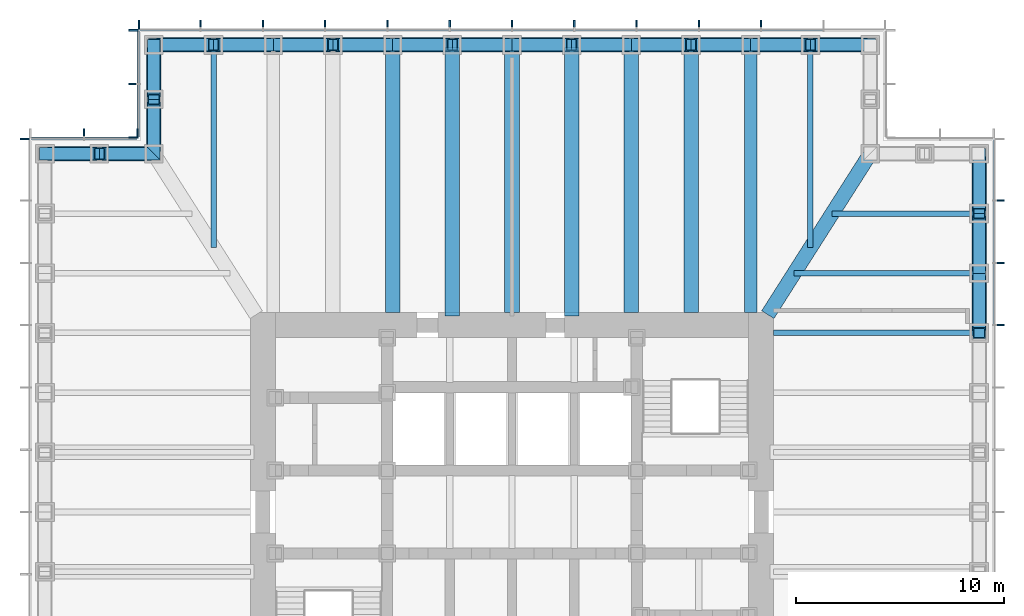
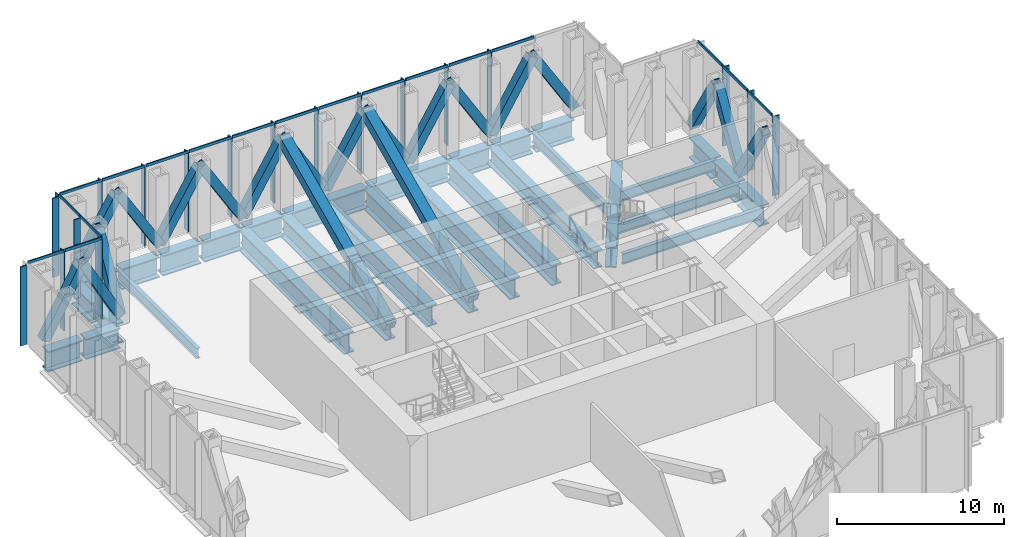
# One storey, part 4 of 13: 59 members, 32 beams, 5 elements without a shape of their own.
"""IFC4 building model written with IfcOpenShell, lengths in metres."""

from ifc_helpers import new_model, si_unit, direction, frame, origin, origin_2d, place, context, subcontext, project, spatial, rectangle, hollow_rectangle, i_section, extrude, material, material_profile, profile_set, type_object, element, aggregate, save


model = new_model("IFC4")

# Units and contexts
model_context = context("Model", 3, precision=1e-05, world=origin(), true_north=direction((0.0, 1.0)))
body_context = subcontext(model_context, "Body", "Model", "MODEL_VIEW")
ifc_project = project(units=[si_unit("LENGTHUNIT", "METRE"), si_unit("AREAUNIT", "SQUARE_METRE"), si_unit("VOLUMEUNIT", "CUBIC_METRE"), si_unit("PLANEANGLEUNIT", "RADIAN"), si_unit("MASSUNIT", "GRAM", prefix="KILO")], contexts=[model_context])

# Site, building, storey
site_placement = place(None, origin())
site = spatial("IfcSite", under=ifc_project, at=site_placement, CompositionType="ELEMENT")
building_placement = place(site_placement, origin())
building = spatial("IfcBuilding", under=site, at=building_placement, Name="Daluyong Arena Tower", CompositionType="ELEMENT")
storey_placement = place(building_placement, frame((0.0, 0.0, 175.300048828125)))
storey = spatial("IfcBuildingStorey", under=building, at=storey_placement, Name="L39", CompositionType="ELEMENT", Elevation=175.300048828125)

# Members
ifc_material_1 = material(Name="Steel ASTM A572 Grade 50", Category="steel")
ifc_material_profile_1 = material_profile(ifc_material_1, hollow_rectangle(XDim=0.60009765625, YDim=0.60009765625, WallThickness=0.05, at=origin_2d()))
ifc_profile_set_1 = profile_set([ifc_material_profile_1], Name="Steel ASTM A572 Grade 50")
member_type_1 = type_object("IfcMemberType", Name="Belt truss diagonal BX600X50", PredefinedType="BRACE", material=ifc_profile_set_1)
for number, where, z_axis, x_axis, name in (
    (1, (78.5, 91.5, 0.5), (0.0, -0.517802679406, 0.855500079018), (1.0, 0.0, 0.0), "belt truss diagonal BT1"),
    (2, (78.5, 91.5, 0.5), (0.0, 0.517802679406, 0.855500079018), (-1.0, 0.0, 0.0), "belt truss diagonal BT1"),
    (3, (78.5, 97.25, 0.5), (0.0, -0.517802679406, 0.855500079018), (1.0, 0.0, 0.0), "belt truss diagonal BT1"),
    (4, (73.25, 102.5, 0.5), (-0.517802679406, 0.0, 0.855500079018), (0.0, -1.0, 0.0), "belt truss diagonal BT1"),
    (5, (67.5, 102.5, 0.5), (0.517802679406, 0.0, 0.855500079018), (0.0, 1.0, 0.0), "belt truss diagonal BT1"),
    (6, (67.5, 102.5, 0.5), (-0.517802679406, 0.0, 0.855500079018), (0.0, -1.0, 0.0), "belt truss diagonal BT1"),
    (7, (61.75, 102.5, 0.5), (0.517802679406, 0.0, 0.855500079018), (0.0, 1.0, 0.0), "belt truss diagonal BT1"),
    (8, (61.75, 102.5, 0.5), (-0.517802679406, 0.0, 0.855500079018), (0.0, -1.0, 0.0), "belt truss diagonal BT1"),
    (9, (56.0, 102.5, 0.5), (0.517802679406, 0.0, 0.855500079018), (0.0, 1.0, 0.0), "belt truss diagonal BT1"),
    (10, (56.0, 102.5, 0.5), (-0.517802679406, 0.0, 0.855500079018), (0.0, -1.0, 0.0), "belt truss diagonal BT1"),
    (11, (50.25, 102.5, 0.5), (0.517802679406, 0.0, 0.855500079018), (0.0, 1.0, 0.0), "belt truss diagonal BT1"),
    (12, (50.25, 102.5, 0.5), (-0.517802679406, 0.0, 0.855500079018), (0.0, -1.0, 0.0), "belt truss diagonal BT1"),
    (13, (44.5, 102.5, 0.5), (0.517802679406, 0.0, 0.855500079018), (0.0, 1.0, 0.0), "belt truss diagonal BT1"),
    (14, (44.5, 102.5, 0.5), (-0.517802679406, 0.0, 0.855500079018), (0.0, -1.0, 0.0), "belt truss diagonal BT1"),
    (15, (38.75, 102.5, 0.5), (0.517802679406, 0.0, 0.855500079018), (0.0, 1.0, 0.0), "belt truss diagonal BT1"),
):
    element("IfcMember", number, at=place(storey_placement, frame(where, z_axis=z_axis, x_axis=x_axis)), inside=storey, type_object=member_type_1, Name=name, PredefinedType="BRACE", context=body_context, shape_type="SweptSolid", body=[
        extrude(hollow_rectangle(XDim=0.60009765625, YDim=0.60009765625, WallThickness=0.05, at=origin_2d()), origin(), (0.0, 0.0, 1.0), 5.55224609375),
    ])
for number, where, z_axis, x_axis, name in (
    (16, (38.75, 102.5, 0.5), (0.0, -0.48368611169, 0.875241535439), (1.0, 0.0, 0.0), "belt truss diagonal BT1"),
    (17, (38.75, 97.25, 0.5), (0.0, 0.48368611169, 0.875241535439), (-1.0, 0.0, 0.0), "belt truss diagonal BT1"),
    (18, (38.75, 97.25, 0.5), (-0.48368611169, 0.0, 0.875241535439), (0.0, -1.0, 0.0), "belt truss diagonal BT1"),
    (19, (33.5, 97.25, 0.5), (0.48368611169, 0.0, 0.875241535439), (0.0, 1.0, 0.0), "belt truss diagonal BT1"),
):
    element("IfcMember", number, at=place(storey_placement, frame(where, z_axis=z_axis, x_axis=x_axis)), inside=storey, type_object=member_type_1, Name=name, PredefinedType="BRACE", context=body_context, shape_type="SweptSolid", body=[
        extrude(hollow_rectangle(XDim=0.60009765625, YDim=0.60009765625, WallThickness=0.05, at=origin_2d()), origin(), (0.0, 0.0, 1.0), 5.427001953125),
    ])

# Curtain wall, members
ifc_material_2 = material(Name="Bronze anodised aluminium and glass", Category="aluminium")
curtain_wall_type = type_object("IfcCurtainWallType", Name="Curtain wall CW6", PredefinedType="USERDEFINED", material=ifc_material_2)
curtain_wall_1_placement = place(storey_placement, origin())
curtain_wall_1 = element("IfcCurtainWall", 20, at=curtain_wall_1_placement, inside=storey, type_object=curtain_wall_type, Name="curtain wall L39 E", ObjectType="UNITISED CURTAIN WALL", PredefinedType="USERDEFINED")
ifc_material_3 = material(Name="Bronze anodised aluminium fin", Category="aluminium")
ifc_material_profile_2 = material_profile(ifc_material_3, rectangle(XDim=0.449951171875, YDim=0.080078125, at=origin_2d()))
ifc_profile_set_2 = profile_set([ifc_material_profile_2], Name="Bronze anodised aluminium fin")
member_type_2 = type_object("IfcMemberType", Name="CW6 bronze fin 450x80", PredefinedType="MULLION", material=ifc_profile_set_2)
member_1_placement = place(storey_placement, frame((79.47509765625, 89.0, 0.0), z_axis=(0.0, 0.0, 1.0), x_axis=(-1.0, 0.0, 0.0)))
member_1 = element("IfcMember", 21, at=member_1_placement, type_object=member_type_2, Name="curtain wall L39 E fin 10", PredefinedType="MULLION", context=body_context, shape_type="SweptSolid", body=[
    extrude(rectangle(XDim=0.449951171875, YDim=0.080078125, at=origin_2d()), origin(), (0.0, 0.0, 1.0), 5.800048828125),
])
member_2_placement = place(storey_placement, frame((79.47509765625, 92.0, 0.0), z_axis=(0.0, 0.0, 1.0), x_axis=(-1.0, 0.0, 0.0)))
member_2 = element("IfcMember", 22, at=member_2_placement, type_object=member_type_2, Name="curtain wall L39 E fin 11", PredefinedType="MULLION", context=body_context, shape_type="SweptSolid", body=[
    extrude(rectangle(XDim=0.449951171875, YDim=0.080078125, at=origin_2d()), origin(), (0.0, 0.0, 1.0), 5.800048828125),
])
member_3_placement = place(storey_placement, frame((79.47509765625, 95.0, 0.0), z_axis=(0.0, 0.0, 1.0), x_axis=(-1.0, 0.0, 0.0)))
member_3 = element("IfcMember", 23, at=member_3_placement, type_object=member_type_2, Name="curtain wall L39 E fin 12", PredefinedType="MULLION", context=body_context, shape_type="SweptSolid", body=[
    extrude(rectangle(XDim=0.449951171875, YDim=0.080078125, at=origin_2d()), origin(), (0.0, 0.0, 1.0), 5.800048828125),
])

curtain_wall_2_placement = place(storey_placement, origin())
curtain_wall_2 = element("IfcCurtainWall", 24, at=curtain_wall_2_placement, inside=storey, type_object=curtain_wall_type, Name="curtain wall L39 N", ObjectType="UNITISED CURTAIN WALL", PredefinedType="USERDEFINED")
member_4_placement = place(storey_placement, frame((68.0, 103.47509765625, 0.0), z_axis=(0.0, 0.0, 1.0), x_axis=(0.0, -1.0, 0.0)))
member_4 = element("IfcMember", 25, at=member_4_placement, type_object=member_type_2, Name="curtain wall L39 N fin 3", PredefinedType="MULLION", context=body_context, shape_type="SweptSolid", body=[
    extrude(rectangle(XDim=0.449951171875, YDim=0.080078125, at=origin_2d()), origin(), (0.0, 0.0, 1.0), 5.800048828125),
])
member_5_placement = place(storey_placement, frame((65.0, 103.47509765625, 0.0), z_axis=(0.0, 0.0, 1.0), x_axis=(0.0, -1.0, 0.0)))
member_5 = element("IfcMember", 26, at=member_5_placement, type_object=member_type_2, Name="curtain wall L39 N fin 4", PredefinedType="MULLION", context=body_context, shape_type="SweptSolid", body=[
    extrude(rectangle(XDim=0.449951171875, YDim=0.080078125, at=origin_2d()), origin(), (0.0, 0.0, 1.0), 5.800048828125),
])
member_6_placement = place(storey_placement, frame((62.0, 103.47509765625, 0.0), z_axis=(0.0, 0.0, 1.0), x_axis=(0.0, -1.0, 0.0)))
member_6 = element("IfcMember", 27, at=member_6_placement, type_object=member_type_2, Name="curtain wall L39 N fin 5", PredefinedType="MULLION", context=body_context, shape_type="SweptSolid", body=[
    extrude(rectangle(XDim=0.449951171875, YDim=0.080078125, at=origin_2d()), origin(), (0.0, 0.0, 1.0), 5.800048828125),
])
member_7_placement = place(storey_placement, frame((59.0, 103.47509765625, 0.0), z_axis=(0.0, 0.0, 1.0), x_axis=(0.0, -1.0, 0.0)))
member_7 = element("IfcMember", 28, at=member_7_placement, type_object=member_type_2, Name="curtain wall L39 N fin 6", PredefinedType="MULLION", context=body_context, shape_type="SweptSolid", body=[
    extrude(rectangle(XDim=0.449951171875, YDim=0.080078125, at=origin_2d()), origin(), (0.0, 0.0, 1.0), 5.800048828125),
])
member_8_placement = place(storey_placement, frame((56.0, 103.47509765625, 0.0), z_axis=(0.0, 0.0, 1.0), x_axis=(0.0, -1.0, 0.0)))
member_8 = element("IfcMember", 29, at=member_8_placement, type_object=member_type_2, Name="curtain wall L39 N fin 7", PredefinedType="MULLION", context=body_context, shape_type="SweptSolid", body=[
    extrude(rectangle(XDim=0.449951171875, YDim=0.080078125, at=origin_2d()), origin(), (0.0, 0.0, 1.0), 5.800048828125),
])
member_9_placement = place(storey_placement, frame((53.0, 103.47509765625, 0.0), z_axis=(0.0, 0.0, 1.0), x_axis=(0.0, -1.0, 0.0)))
member_9 = element("IfcMember", 30, at=member_9_placement, type_object=member_type_2, Name="curtain wall L39 N fin 8", PredefinedType="MULLION", context=body_context, shape_type="SweptSolid", body=[
    extrude(rectangle(XDim=0.449951171875, YDim=0.080078125, at=origin_2d()), origin(), (0.0, 0.0, 1.0), 5.800048828125),
])
member_10_placement = place(storey_placement, frame((50.0, 103.47509765625, 0.0), z_axis=(0.0, 0.0, 1.0), x_axis=(0.0, -1.0, 0.0)))
member_10 = element("IfcMember", 31, at=member_10_placement, type_object=member_type_2, Name="curtain wall L39 N fin 9", PredefinedType="MULLION", context=body_context, shape_type="SweptSolid", body=[
    extrude(rectangle(XDim=0.449951171875, YDim=0.080078125, at=origin_2d()), origin(), (0.0, 0.0, 1.0), 5.800048828125),
])
member_11_placement = place(storey_placement, frame((47.0, 103.47509765625, 0.0), z_axis=(0.0, 0.0, 1.0), x_axis=(0.0, -1.0, 0.0)))
member_11 = element("IfcMember", 32, at=member_11_placement, type_object=member_type_2, Name="curtain wall L39 N fin 10", PredefinedType="MULLION", context=body_context, shape_type="SweptSolid", body=[
    extrude(rectangle(XDim=0.449951171875, YDim=0.080078125, at=origin_2d()), origin(), (0.0, 0.0, 1.0), 5.800048828125),
])
member_12_placement = place(storey_placement, frame((44.0, 103.47509765625, 0.0), z_axis=(0.0, 0.0, 1.0), x_axis=(0.0, -1.0, 0.0)))
member_12 = element("IfcMember", 33, at=member_12_placement, type_object=member_type_2, Name="curtain wall L39 N fin 11", PredefinedType="MULLION", context=body_context, shape_type="SweptSolid", body=[
    extrude(rectangle(XDim=0.449951171875, YDim=0.080078125, at=origin_2d()), origin(), (0.0, 0.0, 1.0), 5.800048828125),
])
member_13_placement = place(storey_placement, frame((41.0, 103.47509765625, 0.0), z_axis=(0.0, 0.0, 1.0), x_axis=(0.0, -1.0, 0.0)))
member_13 = element("IfcMember", 34, at=member_13_placement, type_object=member_type_2, Name="curtain wall L39 N fin 12", PredefinedType="MULLION", context=body_context, shape_type="SweptSolid", body=[
    extrude(rectangle(XDim=0.449951171875, YDim=0.080078125, at=origin_2d()), origin(), (0.0, 0.0, 1.0), 5.800048828125),
])
member_14_placement = place(storey_placement, frame((38.0400390625, 103.47509765625, 0.0), z_axis=(0.0, 0.0, 1.0), x_axis=(0.0, -1.0, 0.0)))
member_14 = element("IfcMember", 35, at=member_14_placement, type_object=member_type_2, Name="curtain wall L39 N fin 13", PredefinedType="MULLION", context=body_context, shape_type="SweptSolid", body=[
    extrude(rectangle(XDim=0.449951171875, YDim=0.080078125, at=origin_2d()), origin(), (0.0, 0.0, 1.0), 5.800048828125),
])

curtain_wall_3_placement = place(storey_placement, origin())
curtain_wall_3 = element("IfcCurtainWall", 36, at=curtain_wall_3_placement, inside=storey, type_object=curtain_wall_type, Name="curtain wall L39 NW-W", ObjectType="UNITISED CURTAIN WALL", PredefinedType="USERDEFINED")
member_15_placement = place(storey_placement, frame((37.77490234375, 103.2099609375, 0.0), z_axis=(0.0, 0.0, 1.0), x_axis=(1.0, 0.0, 0.0)))
member_15 = element("IfcMember", 37, at=member_15_placement, type_object=member_type_2, Name="curtain wall L39 NW-W fin 1", PredefinedType="MULLION", context=body_context, shape_type="SweptSolid", body=[
    extrude(rectangle(XDim=0.449951171875, YDim=0.080078125, at=origin_2d()), origin(), (0.0, 0.0, 1.0), 5.800048828125),
])
member_16_placement = place(storey_placement, frame((37.77490234375, 100.625, 0.0), z_axis=(0.0, 0.0, 1.0), x_axis=(1.0, 0.0, 0.0)))
member_16 = element("IfcMember", 38, at=member_16_placement, type_object=member_type_2, Name="curtain wall L39 NW-W fin 2", PredefinedType="MULLION", context=body_context, shape_type="SweptSolid", body=[
    extrude(rectangle(XDim=0.449951171875, YDim=0.080078125, at=origin_2d()), origin(), (0.0, 0.0, 1.0), 5.800048828125),
])
member_17_placement = place(storey_placement, frame((37.77490234375, 98.0400390625, 0.0), z_axis=(0.0, 0.0, 1.0), x_axis=(1.0, 0.0, 0.0)))
member_17 = element("IfcMember", 39, at=member_17_placement, type_object=member_type_2, Name="curtain wall L39 NW-W fin 3", PredefinedType="MULLION", context=body_context, shape_type="SweptSolid", body=[
    extrude(rectangle(XDim=0.449951171875, YDim=0.080078125, at=origin_2d()), origin(), (0.0, 0.0, 1.0), 5.800048828125),
])

curtain_wall_4_placement = place(storey_placement, origin())
curtain_wall_4 = element("IfcCurtainWall", 40, at=curtain_wall_4_placement, inside=storey, type_object=curtain_wall_type, Name="curtain wall L39 NW-N", ObjectType="UNITISED CURTAIN WALL", PredefinedType="USERDEFINED")
member_18_placement = place(storey_placement, frame((37.9599609375, 98.22509765625, 0.0), z_axis=(0.0, 0.0, 1.0), x_axis=(0.0, -1.0, 0.0)))
member_18 = element("IfcMember", 41, at=member_18_placement, type_object=member_type_2, Name="curtain wall L39 NW-N fin 1", PredefinedType="MULLION", context=body_context, shape_type="SweptSolid", body=[
    extrude(rectangle(XDim=0.449951171875, YDim=0.080078125, at=origin_2d()), origin(), (0.0, 0.0, 1.0), 5.800048828125),
])
member_19_placement = place(storey_placement, frame((35.375, 98.22509765625, 0.0), z_axis=(0.0, 0.0, 1.0), x_axis=(0.0, -1.0, 0.0)))
member_19 = element("IfcMember", 42, at=member_19_placement, type_object=member_type_2, Name="curtain wall L39 NW-N fin 2", PredefinedType="MULLION", context=body_context, shape_type="SweptSolid", body=[
    extrude(rectangle(XDim=0.449951171875, YDim=0.080078125, at=origin_2d()), origin(), (0.0, 0.0, 1.0), 5.800048828125),
])

# Curtain wall, member
curtain_wall_5_placement = place(storey_placement, origin())
curtain_wall_5 = element("IfcCurtainWall", 43, at=curtain_wall_5_placement, inside=storey, type_object=curtain_wall_type, Name="curtain wall L39 W", ObjectType="UNITISED CURTAIN WALL", PredefinedType="USERDEFINED")
member_20_placement = place(storey_placement, frame((32.52490234375, 97.9599609375, 0.0), z_axis=(0.0, 0.0, 1.0), x_axis=(1.0, 0.0, 0.0)))
member_20 = element("IfcMember", 44, at=member_20_placement, type_object=member_type_2, Name="curtain wall L39 W fin 1", PredefinedType="MULLION", context=body_context, shape_type="SweptSolid", body=[
    extrude(rectangle(XDim=0.449951171875, YDim=0.080078125, at=origin_2d()), origin(), (0.0, 0.0, 1.0), 5.800048828125),
])
aggregate(curtain_wall_5, [member_20])

# Member
ifc_material_4 = material(Name="Bronze anodised aluminium", Category="aluminium")
ifc_material_profile_3 = material_profile(ifc_material_4, rectangle(XDim=0.080078125, YDim=0.199951171875, at=origin_2d()))
ifc_profile_set_3 = profile_set([ifc_material_profile_3], Name="Bronze anodised aluminium")
member_type_3 = type_object("IfcMemberType", Name="CW6 stack transom 200x80", PredefinedType="USERDEFINED", material=ifc_profile_set_3)
member_21_placement = place(storey_placement, frame((79.25, 89.0400390625, 5.89990234375), z_axis=(0.0, 1.0, 0.0), x_axis=(-1.0, 0.0, 0.0)))
member_21 = element("IfcMember", 45, at=member_21_placement, type_object=member_type_3, Name="curtain wall L39 E transom 10", ObjectType="TRANSOM", PredefinedType="USERDEFINED", context=body_context, shape_type="SweptSolid", body=[
    extrude(rectangle(XDim=0.080078125, YDim=0.199951171875, at=origin_2d()), origin(), (0.0, 0.0, 1.0), 2.919921875),
])

member_22_placement = place(storey_placement, frame((79.25, 92.0400390625, 5.89990234375), z_axis=(0.0, 1.0, 0.0), x_axis=(-1.0, 0.0, 0.0)))
member_22 = element("IfcMember", 46, at=member_22_placement, type_object=member_type_3, Name="curtain wall L39 E transom 11", ObjectType="TRANSOM", PredefinedType="USERDEFINED", context=body_context, shape_type="SweptSolid", body=[
    extrude(rectangle(XDim=0.080078125, YDim=0.199951171875, at=origin_2d()), origin(), (0.0, 0.0, 1.0), 2.919921875),
])

member_23_placement = place(storey_placement, frame((79.25, 95.0400390625, 5.89990234375), z_axis=(0.0, 1.0, 0.0), x_axis=(-1.0, 0.0, 0.0)))
member_23 = element("IfcMember", 47, at=member_23_placement, type_object=member_type_3, Name="curtain wall L39 E transom 12", ObjectType="TRANSOM", PredefinedType="USERDEFINED", context=body_context, shape_type="SweptSolid", body=[
    extrude(rectangle(XDim=0.080078125, YDim=0.199951171875, at=origin_2d()), origin(), (0.0, 0.0, 1.0), 2.8798828125),
])

aggregate(curtain_wall_1, [member_1, member_2, member_3, member_21, member_22, member_23])

member_24_placement = place(storey_placement, frame((70.9599609375, 103.25, 5.89990234375), z_axis=(-1.0, 0.0, 0.0), x_axis=(0.0, -1.0, 0.0)))
member_24 = element("IfcMember", 48, at=member_24_placement, type_object=member_type_3, Name="curtain wall L39 N transom 2", ObjectType="TRANSOM", PredefinedType="USERDEFINED", context=body_context, shape_type="SweptSolid", body=[
    extrude(rectangle(XDim=0.080078125, YDim=0.199951171875, at=origin_2d()), origin(), (0.0, 0.0, 1.0), 2.919921875),
])

member_25_placement = place(storey_placement, frame((67.9599609375, 103.25, 5.89990234375), z_axis=(-1.0, 0.0, 0.0), x_axis=(0.0, -1.0, 0.0)))
member_25 = element("IfcMember", 49, at=member_25_placement, type_object=member_type_3, Name="curtain wall L39 N transom 3", ObjectType="TRANSOM", PredefinedType="USERDEFINED", context=body_context, shape_type="SweptSolid", body=[
    extrude(rectangle(XDim=0.080078125, YDim=0.199951171875, at=origin_2d()), origin(), (0.0, 0.0, 1.0), 2.919921875),
])

member_26_placement = place(storey_placement, frame((64.9599609375, 103.25, 5.89990234375), z_axis=(-1.0, 0.0, 0.0), x_axis=(0.0, -1.0, 0.0)))
member_26 = element("IfcMember", 50, at=member_26_placement, type_object=member_type_3, Name="curtain wall L39 N transom 4", ObjectType="TRANSOM", PredefinedType="USERDEFINED", context=body_context, shape_type="SweptSolid", body=[
    extrude(rectangle(XDim=0.080078125, YDim=0.199951171875, at=origin_2d()), origin(), (0.0, 0.0, 1.0), 2.919921875),
])

member_27_placement = place(storey_placement, frame((61.9599609375, 103.25, 5.89990234375), z_axis=(-1.0, 0.0, 0.0), x_axis=(0.0, -1.0, 0.0)))
member_27 = element("IfcMember", 51, at=member_27_placement, type_object=member_type_3, Name="curtain wall L39 N transom 5", ObjectType="TRANSOM", PredefinedType="USERDEFINED", context=body_context, shape_type="SweptSolid", body=[
    extrude(rectangle(XDim=0.080078125, YDim=0.199951171875, at=origin_2d()), origin(), (0.0, 0.0, 1.0), 2.919921875),
])

member_28_placement = place(storey_placement, frame((58.9599609375, 103.25, 5.89990234375), z_axis=(-1.0, 0.0, 0.0), x_axis=(0.0, -1.0, 0.0)))
member_28 = element("IfcMember", 52, at=member_28_placement, type_object=member_type_3, Name="curtain wall L39 N transom 6", ObjectType="TRANSOM", PredefinedType="USERDEFINED", context=body_context, shape_type="SweptSolid", body=[
    extrude(rectangle(XDim=0.080078125, YDim=0.199951171875, at=origin_2d()), origin(), (0.0, 0.0, 1.0), 2.919921875),
])

member_29_placement = place(storey_placement, frame((55.9599609375, 103.25, 5.89990234375), z_axis=(-1.0, 0.0, 0.0), x_axis=(0.0, -1.0, 0.0)))
member_29 = element("IfcMember", 53, at=member_29_placement, type_object=member_type_3, Name="curtain wall L39 N transom 7", ObjectType="TRANSOM", PredefinedType="USERDEFINED", context=body_context, shape_type="SweptSolid", body=[
    extrude(rectangle(XDim=0.080078125, YDim=0.199951171875, at=origin_2d()), origin(), (0.0, 0.0, 1.0), 2.919921875),
])

member_30_placement = place(storey_placement, frame((52.9599609375, 103.25, 5.89990234375), z_axis=(-1.0, 0.0, 0.0), x_axis=(0.0, -1.0, 0.0)))
member_30 = element("IfcMember", 54, at=member_30_placement, type_object=member_type_3, Name="curtain wall L39 N transom 8", ObjectType="TRANSOM", PredefinedType="USERDEFINED", context=body_context, shape_type="SweptSolid", body=[
    extrude(rectangle(XDim=0.080078125, YDim=0.199951171875, at=origin_2d()), origin(), (0.0, 0.0, 1.0), 2.919921875),
])

member_31_placement = place(storey_placement, frame((49.9599609375, 103.25, 5.89990234375), z_axis=(-1.0, 0.0, 0.0), x_axis=(0.0, -1.0, 0.0)))
member_31 = element("IfcMember", 55, at=member_31_placement, type_object=member_type_3, Name="curtain wall L39 N transom 9", ObjectType="TRANSOM", PredefinedType="USERDEFINED", context=body_context, shape_type="SweptSolid", body=[
    extrude(rectangle(XDim=0.080078125, YDim=0.199951171875, at=origin_2d()), origin(), (0.0, 0.0, 1.0), 2.919921875),
])

member_32_placement = place(storey_placement, frame((46.9599609375, 103.25, 5.89990234375), z_axis=(-1.0, 0.0, 0.0), x_axis=(0.0, -1.0, 0.0)))
member_32 = element("IfcMember", 56, at=member_32_placement, type_object=member_type_3, Name="curtain wall L39 N transom 10", ObjectType="TRANSOM", PredefinedType="USERDEFINED", context=body_context, shape_type="SweptSolid", body=[
    extrude(rectangle(XDim=0.080078125, YDim=0.199951171875, at=origin_2d()), origin(), (0.0, 0.0, 1.0), 2.919921875),
])

member_33_placement = place(storey_placement, frame((43.9599609375, 103.25, 5.89990234375), z_axis=(-1.0, 0.0, 0.0), x_axis=(0.0, -1.0, 0.0)))
member_33 = element("IfcMember", 57, at=member_33_placement, type_object=member_type_3, Name="curtain wall L39 N transom 11", ObjectType="TRANSOM", PredefinedType="USERDEFINED", context=body_context, shape_type="SweptSolid", body=[
    extrude(rectangle(XDim=0.080078125, YDim=0.199951171875, at=origin_2d()), origin(), (0.0, 0.0, 1.0), 2.919921875),
])

member_34_placement = place(storey_placement, frame((40.9599609375, 103.25, 5.89990234375), z_axis=(-1.0, 0.0, 0.0), x_axis=(0.0, -1.0, 0.0)))
member_34 = element("IfcMember", 58, at=member_34_placement, type_object=member_type_3, Name="curtain wall L39 N transom 12", ObjectType="TRANSOM", PredefinedType="USERDEFINED", context=body_context, shape_type="SweptSolid", body=[
    extrude(rectangle(XDim=0.080078125, YDim=0.199951171875, at=origin_2d()), origin(), (0.0, 0.0, 1.0), 2.8798828125),
])

aggregate(curtain_wall_2, [member_4, member_5, member_6, member_7, member_8, member_9, member_10, member_11, member_12, member_13, member_14, member_24, member_25, member_26, member_27, member_28, member_29, member_30, member_31, member_32, member_33, member_34])

member_35_placement = place(storey_placement, frame((38.0, 103.169921875, 5.89990234375), z_axis=(0.0, -1.0, 0.0), x_axis=(1.0, 0.0, 0.0)))
member_35 = element("IfcMember", 59, at=member_35_placement, type_object=member_type_3, Name="curtain wall L39 NW-W transom 1", ObjectType="TRANSOM", PredefinedType="USERDEFINED", context=body_context, shape_type="SweptSolid", body=[
    extrude(rectangle(XDim=0.080078125, YDim=0.199951171875, at=origin_2d()), origin(), (0.0, 0.0, 1.0), 2.5048828125),
])

member_36_placement = place(storey_placement, frame((38.0, 100.5849609375, 5.89990234375), z_axis=(0.0, -1.0, 0.0), x_axis=(1.0, 0.0, 0.0)))
member_36 = element("IfcMember", 60, at=member_36_placement, type_object=member_type_3, Name="curtain wall L39 NW-W transom 2", ObjectType="TRANSOM", PredefinedType="USERDEFINED", context=body_context, shape_type="SweptSolid", body=[
    extrude(rectangle(XDim=0.080078125, YDim=0.199951171875, at=origin_2d()), origin(), (0.0, 0.0, 1.0), 2.5048828125),
])

aggregate(curtain_wall_3, [member_15, member_16, member_17, member_35, member_36])

member_37_placement = place(storey_placement, frame((37.919921875, 98.0, 5.89990234375), z_axis=(-1.0, 0.0, 0.0), x_axis=(0.0, -1.0, 0.0)))
member_37 = element("IfcMember", 61, at=member_37_placement, type_object=member_type_3, Name="curtain wall L39 NW-N transom 1", ObjectType="TRANSOM", PredefinedType="USERDEFINED", context=body_context, shape_type="SweptSolid", body=[
    extrude(rectangle(XDim=0.080078125, YDim=0.199951171875, at=origin_2d()), origin(), (0.0, 0.0, 1.0), 2.5048828125),
])

member_38_placement = place(storey_placement, frame((35.3349609375, 98.0, 5.89990234375), z_axis=(-1.0, 0.0, 0.0), x_axis=(0.0, -1.0, 0.0)))
member_38 = element("IfcMember", 62, at=member_38_placement, type_object=member_type_3, Name="curtain wall L39 NW-N transom 2", ObjectType="TRANSOM", PredefinedType="USERDEFINED", context=body_context, shape_type="SweptSolid", body=[
    extrude(rectangle(XDim=0.080078125, YDim=0.199951171875, at=origin_2d()), origin(), (0.0, 0.0, 1.0), 2.5048828125),
])

aggregate(curtain_wall_4, [member_18, member_19, member_37, member_38])

# Beams
ifc_material_5 = material(Name="Steel ASTM A572 Grade 50", Category="steel")
ifc_material_profile_4 = material_profile(ifc_material_5, i_section(OverallWidth=0.699951171875, OverallDepth=1.5, WebThickness=0.04, FlangeThickness=0.08, at=origin_2d()))
ifc_profile_set_4 = profile_set([ifc_material_profile_4], Name="Steel ASTM A572 Grade 50")
beam_type_1 = type_object("IfcBeamType", Name="Corner girder PG1500X700", PredefinedType="BEAM", material=ifc_profile_set_4)
beam_1_placement = place(storey_placement, frame((73.188232421875, 97.153076171875, -1.0), z_axis=(-0.536872006459, -0.843663705916, 0.0), x_axis=(0.843663705916, -0.536872006459, 0.0)))
element("IfcBeam", 63, at=beam_1_placement, inside=storey, type_object=beam_type_1, Name="corner girder DG4", PredefinedType="BEAM", context=body_context, shape_type="SweptSolid", body=[
    extrude(i_section(OverallWidth=0.699951171875, OverallDepth=1.5, WebThickness=0.04, FlangeThickness=0.08, at=origin_2d()), origin(), (0.0, 0.0, 1.0), 9.06396484375),
])
ifc_material_6 = material(Name="Steel ASTM A572 Grade 50", Category="steel")
ifc_material_profile_5 = material_profile(ifc_material_6, i_section(OverallWidth=0.699951171875, OverallDepth=1.5, WebThickness=0.04, FlangeThickness=0.08, at=origin_2d()))
ifc_profile_set_5 = profile_set([ifc_material_profile_5], Name="Steel ASTM A572 Grade 50")
beam_type_2 = type_object("IfcBeamType", Name="Floor beam PG1500X700", PredefinedType="BEAM", material=ifc_profile_set_5)
for number, where, z_axis, x_axis, name in (
    (64, (64.625, 102.385009765625, -1.0), (0.0, -1.0, 0.0), (1.0, 0.0, 0.0), "floor beam FB8"),
    (65, (61.75, 102.385009765625, -1.0), (0.0, -1.0, 0.0), (1.0, 0.0, 0.0), "floor beam FB8"),
    (66, (58.875, 102.385009765625, -1.0), (0.0, -1.0, 0.0), (1.0, 0.0, 0.0), "floor beam FB8"),
    (67, (56.0, 102.385009765625, -1.0), (0.0, -1.0, 0.0), (1.0, 0.0, 0.0), "floor beam FB8"),
    (68, (53.125, 102.385009765625, -1.0), (0.0, -1.0, 0.0), (1.0, 0.0, 0.0), "floor beam FB8"),
    (69, (50.25, 102.385009765625, -1.0), (0.0, -1.0, 0.0), (1.0, 0.0, 0.0), "floor beam FB8"),
):
    element("IfcBeam", number, at=place(storey_placement, frame(where, z_axis=z_axis, x_axis=x_axis)), inside=storey, type_object=beam_type_2, Name=name, PredefinedType="BEAM", context=body_context, shape_type="SweptSolid", body=[
        extrude(i_section(OverallWidth=0.699951171875, OverallDepth=1.5, WebThickness=0.04, FlangeThickness=0.08, at=origin_2d()), origin(), (0.0, 0.0, 1.0), 12.784912109375),
    ])
ifc_material_7 = material(Name="Steel ASTM A572 Grade 50", Category="steel")
ifc_material_profile_6 = material_profile(ifc_material_7, i_section(OverallWidth=0.60009765625, OverallDepth=1.300048828125, WebThickness=0.035, FlangeThickness=0.07, at=origin_2d()))
ifc_profile_set_6 = profile_set([ifc_material_profile_6], Name="Steel ASTM A572 Grade 50")
beam_type_3 = type_object("IfcBeamType", Name="Floor beam TB1300X600", PredefinedType="BEAM", material=ifc_profile_set_6)
beam_2_placement = place(storey_placement, frame((67.5, 102.385009765625, -0.900146484375), z_axis=(0.0, -1.0, 0.0), x_axis=(1.0, 0.0, 0.0)))
element("IfcBeam", 70, at=beam_2_placement, inside=storey, type_object=beam_type_3, Name="floor beam FB7", PredefinedType="BEAM", context=body_context, shape_type="SweptSolid", body=[
    extrude(i_section(OverallWidth=0.60009765625, OverallDepth=1.300048828125, WebThickness=0.035, FlangeThickness=0.07, at=origin_2d()), origin(), (0.0, 0.0, 1.0), 12.784912109375),
])
ifc_material_8 = material(Name="Steel ASTM A992 Grade 50", Category="steel")
ifc_material_profile_7 = material_profile(ifc_material_8, i_section(OverallWidth=0.2666015625, OverallDepth=0.761962890625, WebThickness=0.014404296875, FlangeThickness=0.021484375, at=origin_2d()))
ifc_profile_set_7 = profile_set([ifc_material_profile_7], Name="Steel ASTM A992 Grade 50")
beam_type_4 = type_object("IfcBeamType", Name="Floor beam W30X116", PredefinedType="BEAM", material=ifc_profile_set_7)
beam_3_placement = place(storey_placement, frame((78.385009765625, 88.625, -0.631103515625), z_axis=(-1.0, 0.0, 0.0), x_axis=(0.0, -1.0, 0.0)))
element("IfcBeam", 71, at=beam_3_placement, inside=storey, type_object=beam_type_4, Name="floor beam FB4", PredefinedType="BEAM", context=body_context, shape_type="SweptSolid", body=[
    extrude(i_section(OverallWidth=0.2666015625, OverallDepth=0.761962890625, WebThickness=0.014404296875, FlangeThickness=0.021484375, at=origin_2d()), origin(), (0.0, 0.0, 1.0), 9.784912109375),
])
beam_4_placement = place(storey_placement, frame((78.385009765625, 91.5, -0.631103515625), z_axis=(-1.0, 0.0, 0.0), x_axis=(0.0, -1.0, 0.0)))
element("IfcBeam", 72, at=beam_4_placement, inside=storey, type_object=beam_type_4, Name="floor beam FB4", PredefinedType="BEAM", context=body_context, shape_type="SweptSolid", body=[
    extrude(i_section(OverallWidth=0.2666015625, OverallDepth=0.761962890625, WebThickness=0.014404296875, FlangeThickness=0.021484375, at=origin_2d()), origin(), (0.0, 0.0, 1.0), 8.794189453125),
])
beam_5_placement = place(storey_placement, frame((78.385009765625, 94.375, -0.631103515625), z_axis=(-1.0, 0.0, 0.0), x_axis=(0.0, -1.0, 0.0)))
element("IfcBeam", 73, at=beam_5_placement, inside=storey, type_object=beam_type_4, Name="floor beam FB4", PredefinedType="BEAM", context=body_context, shape_type="SweptSolid", body=[
    extrude(i_section(OverallWidth=0.2666015625, OverallDepth=0.761962890625, WebThickness=0.014404296875, FlangeThickness=0.021484375, at=origin_2d()), origin(), (0.0, 0.0, 1.0), 6.964599609375),
])
for number, where, z_axis, x_axis, name in (
    (74, (70.375, 102.385009765625, -0.631103515625), (0.0, -1.0, 0.0), (1.0, 0.0, 0.0), "floor beam FB4"),
    (75, (41.625, 102.385009765625, -0.631103515625), (0.0, -1.0, 0.0), (1.0, 0.0, 0.0), "floor beam FB4"),
):
    element("IfcBeam", number, at=place(storey_placement, frame(where, z_axis=z_axis, x_axis=x_axis)), inside=storey, type_object=beam_type_4, Name=name, PredefinedType="BEAM", context=body_context, shape_type="SweptSolid", body=[
        extrude(i_section(OverallWidth=0.2666015625, OverallDepth=0.761962890625, WebThickness=0.014404296875, FlangeThickness=0.021484375, at=origin_2d()), origin(), (0.0, 0.0, 1.0), 9.65283203125),
    ])

# Members
ifc_material_9 = material(Name="Steel ASTM A572 Grade 50", Category="steel")
ifc_material_profile_8 = material_profile(ifc_material_9, hollow_rectangle(XDim=0.699951171875, YDim=0.699951171875, WallThickness=0.06, at=origin_2d()))
ifc_profile_set_8 = profile_set([ifc_material_profile_8], Name="Steel ASTM A572 Grade 50")
member_type_4 = type_object("IfcMemberType", Name="Outrigger diagonal BX700X60", PredefinedType="BRACE", material=ifc_profile_set_8)
for number, where, z_axis, x_axis, name in (
    (76, (53.125, 89.60009765625, -0.75), (0.0, 0.906719891049, 0.421733374511), (-1.0, 0.0, 0.0), "outrigger diagonal OT1"),
    (77, (58.875, 89.60009765625, -0.75), (0.0, 0.906719891049, 0.421733374511), (-1.0, 0.0, 0.0), "outrigger diagonal OT1"),
):
    element("IfcMember", number, at=place(storey_placement, frame(where, z_axis=z_axis, x_axis=x_axis)), inside=storey, type_object=member_type_4, Name=name, PredefinedType="BRACE", context=body_context, shape_type="SweptSolid", body=[
        extrude(hollow_rectangle(XDim=0.699951171875, YDim=0.699951171875, WallThickness=0.06, at=origin_2d()), origin(), (0.0, 0.0, 1.0), 14.22705078125),
    ])

# Beams
ifc_material_10 = material(Name="Steel ASTM A572 Grade 50", Category="steel")
ifc_material_profile_9 = material_profile(ifc_material_10, i_section(OverallWidth=0.699951171875, OverallDepth=1.5, WebThickness=0.04, FlangeThickness=0.08, at=origin_2d()))
ifc_profile_set_9 = profile_set([ifc_material_profile_9], Name="Steel ASTM A572 Grade 50")
beam_type_5 = type_object("IfcBeamType", Name="Spandrel Z2 PG1500X700", PredefinedType="SPANDREL", material=ifc_profile_set_9)
for number, where, z_axis, x_axis, name in (
    (78, (78.5, 88.739990234375, -1.0), (0.0, 1.0, 0.0), (-1.0, 0.0, 0.0), "spandrel z2 SB6"),
    (79, (78.5, 91.614990234375, -1.0), (0.0, 1.0, 0.0), (-1.0, 0.0, 0.0), "spandrel z2 SB6"),
    (80, (78.5, 94.489990234375, -1.0), (0.0, 1.0, 0.0), (-1.0, 0.0, 0.0), "spandrel z2 SB6"),
    (81, (73.135009765625, 102.5, -1.0), (-1.0, 0.0, 0.0), (0.0, -1.0, 0.0), "spandrel z2 SB6"),
    (82, (70.260009765625, 102.5, -1.0), (-1.0, 0.0, 0.0), (0.0, -1.0, 0.0), "spandrel z2 SB6"),
    (83, (67.385009765625, 102.5, -1.0), (-1.0, 0.0, 0.0), (0.0, -1.0, 0.0), "spandrel z2 SB6"),
    (84, (64.510009765625, 102.5, -1.0), (-1.0, 0.0, 0.0), (0.0, -1.0, 0.0), "spandrel z2 SB6"),
    (85, (61.635009765625, 102.5, -1.0), (-1.0, 0.0, 0.0), (0.0, -1.0, 0.0), "spandrel z2 SB6"),
    (86, (58.760009765625, 102.5, -1.0), (-1.0, 0.0, 0.0), (0.0, -1.0, 0.0), "spandrel z2 SB6"),
    (87, (55.885009765625, 102.5, -1.0), (-1.0, 0.0, 0.0), (0.0, -1.0, 0.0), "spandrel z2 SB6"),
    (88, (53.010009765625, 102.5, -1.0), (-1.0, 0.0, 0.0), (0.0, -1.0, 0.0), "spandrel z2 SB6"),
    (89, (50.135009765625, 102.5, -1.0), (-1.0, 0.0, 0.0), (0.0, -1.0, 0.0), "spandrel z2 SB6"),
    (90, (47.260009765625, 102.5, -1.0), (-1.0, 0.0, 0.0), (0.0, -1.0, 0.0), "spandrel z2 SB6"),
    (91, (44.385009765625, 102.5, -1.0), (-1.0, 0.0, 0.0), (0.0, -1.0, 0.0), "spandrel z2 SB6"),
    (92, (41.510009765625, 102.5, -1.0), (-1.0, 0.0, 0.0), (0.0, -1.0, 0.0), "spandrel z2 SB6"),
):
    element("IfcBeam", number, at=place(storey_placement, frame(where, z_axis=z_axis, x_axis=x_axis)), inside=storey, type_object=beam_type_5, Name=name, PredefinedType="SPANDREL", context=body_context, shape_type="SweptSolid", body=[
        extrude(i_section(OverallWidth=0.699951171875, OverallDepth=1.5, WebThickness=0.04, FlangeThickness=0.08, at=origin_2d()), origin(), (0.0, 0.0, 1.0), 2.64501953125),
    ])
for number, where, z_axis, x_axis, name in (
    (93, (38.75, 102.385009765625, -1.0), (0.0, -1.0, 0.0), (1.0, 0.0, 0.0), "spandrel z2 SB6"),
    (94, (38.75, 99.760009765625, -1.0), (0.0, -1.0, 0.0), (1.0, 0.0, 0.0), "spandrel z2 SB6"),
    (95, (38.635009765625, 97.25, -1.0), (-1.0, 0.0, 0.0), (0.0, -1.0, 0.0), "spandrel z2 SB6"),
    (96, (36.010009765625, 97.25, -1.0), (-1.0, 0.0, 0.0), (0.0, -1.0, 0.0), "spandrel z2 SB6"),
):
    element("IfcBeam", number, at=place(storey_placement, frame(where, z_axis=z_axis, x_axis=x_axis)), inside=storey, type_object=beam_type_5, Name=name, PredefinedType="SPANDREL", context=body_context, shape_type="SweptSolid", body=[
        extrude(i_section(OverallWidth=0.699951171875, OverallDepth=1.5, WebThickness=0.04, FlangeThickness=0.08, at=origin_2d()), origin(), (0.0, 0.0, 1.0), 2.39501953125),
    ])

save(model, "model.ifc")
